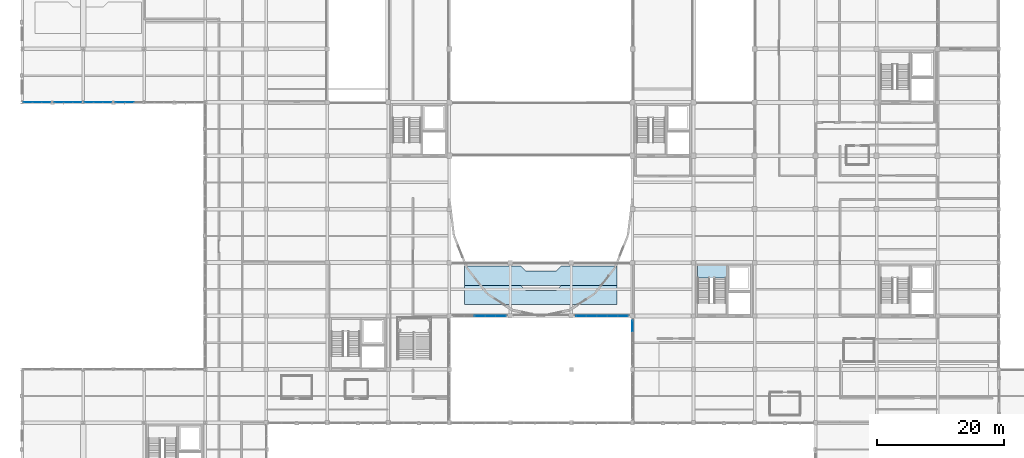
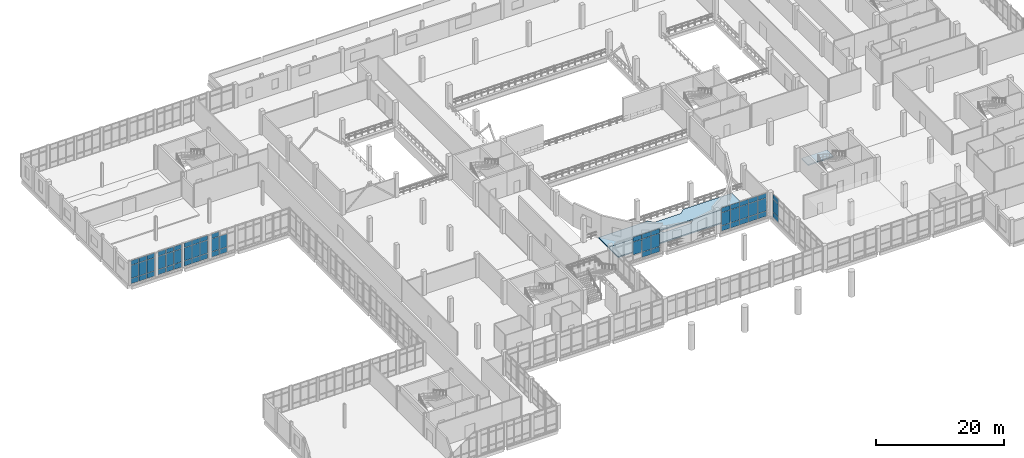
# One storey, part 80 of 102: 58 plates, 3 slabs, 8 elements without a shape of their own.
"""IFC4 building model written with IfcOpenShell, lengths in metres."""

from ifc_helpers import new_model, si_unit, direction, frame, origin, origin_2d, place, context, subcontext, project, spatial, polyline, rectangle, outline, extrude, material, layer, layer_set, type_object, element, aggregate, save


model = new_model("IFC4")

# Units and contexts
model_context = context("Model", 3, precision=1e-05, world=origin(), true_north=direction((0.0, 1.0)))
body_context = subcontext(model_context, "Body", "Model", "MODEL_VIEW")
ifc_project = project(units=[si_unit("LENGTHUNIT", "METRE"), si_unit("AREAUNIT", "SQUARE_METRE"), si_unit("VOLUMEUNIT", "CUBIC_METRE"), si_unit("PLANEANGLEUNIT", "RADIAN"), si_unit("MASSUNIT", "GRAM", prefix="KILO")], contexts=[model_context])

# Site, building, storey
site_placement = place(None, origin())
site = spatial("IfcSite", under=ifc_project, at=site_placement, CompositionType="ELEMENT")
building_placement = place(site_placement, origin())
building = spatial("IfcBuilding", under=site, at=building_placement, Name="Lornevale Opera House", CompositionType="ELEMENT")
storey_placement = place(building_placement, frame((0.0, 0.0, 5.39990234375)))
storey = spatial("IfcBuildingStorey", under=building, at=storey_placement, Name="L02", CompositionType="ELEMENT", Elevation=5.39990234375)

# Curtain wall, plates
ifc_material_1 = material(Name="Anodized Oxide-Green Aluminium Framing", Category="aluminium")
ifc_layer_1 = layer(ifc_material_1, 0.175048828125)
ifc_layer_set_1 = layer_set([ifc_layer_1], Name="Anodized Oxide-Green Aluminium Framing")
curtain_wall_type_1 = type_object("IfcCurtainWallType", Name="Chamber Cloister Curtain Wall M1700", PredefinedType="NOTDEFINED", material=ifc_layer_set_1)
curtain_wall_1_placement = place(storey_placement, origin())
curtain_wall_1 = element("IfcCurtainWall", 1, at=curtain_wall_1_placement, inside=storey, type_object=curtain_wall_type_1, Name="Chamber Cloister Curtain Wall M1700 CW-025", PredefinedType="NOTDEFINED")
ifc_material_2 = material(Name="Triple Low-E Insulated Glazing", Category="glass")
ifc_layer_2 = layer(ifc_material_2, 0.0419921875)
ifc_layer_set_2 = layer_set([ifc_layer_2], Name="Triple Low-E Insulated Glazing")
plate_type_1 = type_object("IfcPlateType", Name="Ceramic Fritted Bird-Safe Panel 42", PredefinedType="CURTAIN_PANEL", material=ifc_layer_set_2)
plate_1_placement = place(storey_placement, frame((8.669677734375, 67.199951171875, 0.0654296875), z_axis=(0.0, 0.0, 1.0), x_axis=(-1.0, 0.0, 0.0)))
plate_1 = element("IfcPlate", 2, at=plate_1_placement, type_object=plate_type_1, Name="Ceramic Fritted Bird-Safe Panel 42 CW0441", PredefinedType="CURTAIN_PANEL", context=body_context, shape_type="SweptSolid", body=[
    extrude(rectangle(XDim=1.3447265625, YDim=0.0419921875, at=origin_2d()), origin(), (0.0, 0.0, 1.0), 0.952392578125),
])
plate_2_placement = place(storey_placement, frame((8.669677734375, 67.199951171875, 1.08251953125), z_axis=(0.0, 0.0, 1.0), x_axis=(-1.0, 0.0, 0.0)))
plate_2 = element("IfcPlate", 3, at=plate_2_placement, type_object=plate_type_1, Name="Ceramic Fritted Bird-Safe Panel 42 CW0442", PredefinedType="CURTAIN_PANEL", context=body_context, shape_type="SweptSolid", body=[
    extrude(rectangle(XDim=1.3447265625, YDim=0.0419921875, at=origin_2d()), origin(), (0.0, 0.0, 1.0), 2.455078125),
])
plate_3_placement = place(storey_placement, frame((8.669677734375, 67.199951171875, 3.6025390625), z_axis=(0.0, 0.0, 1.0), x_axis=(-1.0, 0.0, 0.0)))
plate_3 = element("IfcPlate", 4, at=plate_3_placement, type_object=plate_type_1, Name="Ceramic Fritted Bird-Safe Panel 42 CW0443", PredefinedType="CURTAIN_PANEL", context=body_context, shape_type="SweptSolid", body=[
    extrude(rectangle(XDim=1.3447265625, YDim=0.0419921875, at=origin_2d()), origin(), (0.0, 0.0, 1.0), 0.8525390625),
])
plate_4_placement = place(storey_placement, frame((7.243408203125, 67.199951171875, 0.0654296875), z_axis=(0.0, 0.0, 1.0), x_axis=(-1.0, 0.0, 0.0)))
plate_4 = element("IfcPlate", 5, at=plate_4_placement, type_object=plate_type_1, Name="Ceramic Fritted Bird-Safe Panel 42 CW0448", PredefinedType="CURTAIN_PANEL", context=body_context, shape_type="SweptSolid", body=[
    extrude(rectangle(XDim=1.377197265625, YDim=0.0419921875, at=origin_2d()), origin(), (0.0, 0.0, 1.0), 0.952392578125),
])
plate_5_placement = place(storey_placement, frame((7.243408203125, 67.199951171875, 1.08251953125), z_axis=(0.0, 0.0, 1.0), x_axis=(-1.0, 0.0, 0.0)))
plate_5 = element("IfcPlate", 6, at=plate_5_placement, type_object=plate_type_1, Name="Ceramic Fritted Bird-Safe Panel 42 CW0449", PredefinedType="CURTAIN_PANEL", context=body_context, shape_type="SweptSolid", body=[
    extrude(rectangle(XDim=1.377197265625, YDim=0.0419921875, at=origin_2d()), origin(), (0.0, 0.0, 1.0), 2.455078125),
])
plate_6_placement = place(storey_placement, frame((7.243408203125, 67.199951171875, 3.6025390625), z_axis=(0.0, 0.0, 1.0), x_axis=(-1.0, 0.0, 0.0)))
plate_6 = element("IfcPlate", 7, at=plate_6_placement, type_object=plate_type_1, Name="Ceramic Fritted Bird-Safe Panel 42 CW0450", PredefinedType="CURTAIN_PANEL", context=body_context, shape_type="SweptSolid", body=[
    extrude(rectangle(XDim=1.377197265625, YDim=0.0419921875, at=origin_2d()), origin(), (0.0, 0.0, 1.0), 0.8525390625),
])
plate_7_placement = place(storey_placement, frame((5.8173828125, 67.199951171875, 0.0654296875), z_axis=(0.0, 0.0, 1.0), x_axis=(-1.0, 0.0, 0.0)))
plate_7 = element("IfcPlate", 8, at=plate_7_placement, type_object=plate_type_1, Name="Ceramic Fritted Bird-Safe Panel 42 CW0455", PredefinedType="CURTAIN_PANEL", context=body_context, shape_type="SweptSolid", body=[
    extrude(rectangle(XDim=1.3447265625, YDim=0.0419921875, at=origin_2d()), origin(), (0.0, 0.0, 1.0), 0.952392578125),
])
plate_8_placement = place(storey_placement, frame((5.8173828125, 67.199951171875, 1.08251953125), z_axis=(0.0, 0.0, 1.0), x_axis=(-1.0, 0.0, 0.0)))
plate_8 = element("IfcPlate", 9, at=plate_8_placement, type_object=plate_type_1, Name="Ceramic Fritted Bird-Safe Panel 42 CW0456", PredefinedType="CURTAIN_PANEL", context=body_context, shape_type="SweptSolid", body=[
    extrude(rectangle(XDim=1.3447265625, YDim=0.0419921875, at=origin_2d()), origin(), (0.0, 0.0, 1.0), 2.455078125),
])
plate_9_placement = place(storey_placement, frame((5.8173828125, 67.199951171875, 3.6025390625), z_axis=(0.0, 0.0, 1.0), x_axis=(-1.0, 0.0, 0.0)))
plate_9 = element("IfcPlate", 10, at=plate_9_placement, type_object=plate_type_1, Name="Ceramic Fritted Bird-Safe Panel 42 CW0457", PredefinedType="CURTAIN_PANEL", context=body_context, shape_type="SweptSolid", body=[
    extrude(rectangle(XDim=1.3447265625, YDim=0.0419921875, at=origin_2d()), origin(), (0.0, 0.0, 1.0), 0.8525390625),
])
aggregate(curtain_wall_1, [plate_1, plate_2, plate_3, plate_4, plate_5, plate_6, plate_7, plate_8, plate_9])

curtain_wall_2_placement = place(storey_placement, origin())
curtain_wall_2 = element("IfcCurtainWall", 11, at=curtain_wall_2_placement, inside=storey, type_object=curtain_wall_type_1, Name="Chamber Cloister Curtain Wall M1700 CW-026", PredefinedType="NOTDEFINED")
plate_10_placement = place(storey_placement, frame((3.78271484375, 67.199951171875, 0.0654296875), z_axis=(0.0, 0.0, 1.0), x_axis=(-1.0, 0.0, 0.0)))
plate_10 = element("IfcPlate", 12, at=plate_10_placement, type_object=plate_type_1, Name="Ceramic Fritted Bird-Safe Panel 42 CW0466", PredefinedType="CURTAIN_PANEL", context=body_context, shape_type="SweptSolid", body=[
    extrude(rectangle(XDim=1.3447265625, YDim=0.0419921875, at=origin_2d()), origin(), (0.0, 0.0, 1.0), 0.952392578125),
])
plate_11_placement = place(storey_placement, frame((3.78271484375, 67.199951171875, 1.08251953125), z_axis=(0.0, 0.0, 1.0), x_axis=(-1.0, 0.0, 0.0)))
plate_11 = element("IfcPlate", 13, at=plate_11_placement, type_object=plate_type_1, Name="Ceramic Fritted Bird-Safe Panel 42 CW0467", PredefinedType="CURTAIN_PANEL", context=body_context, shape_type="SweptSolid", body=[
    extrude(rectangle(XDim=1.3447265625, YDim=0.0419921875, at=origin_2d()), origin(), (0.0, 0.0, 1.0), 2.455078125),
])
plate_12_placement = place(storey_placement, frame((3.78271484375, 67.199951171875, 3.6025390625), z_axis=(0.0, 0.0, 1.0), x_axis=(-1.0, 0.0, 0.0)))
plate_12 = element("IfcPlate", 14, at=plate_12_placement, type_object=plate_type_1, Name="Ceramic Fritted Bird-Safe Panel 42 CW0468", PredefinedType="CURTAIN_PANEL", context=body_context, shape_type="SweptSolid", body=[
    extrude(rectangle(XDim=1.3447265625, YDim=0.0419921875, at=origin_2d()), origin(), (0.0, 0.0, 1.0), 0.8525390625),
])
plate_13_placement = place(storey_placement, frame((2.3564453125, 67.199951171875, 0.0654296875), z_axis=(0.0, 0.0, 1.0), x_axis=(-1.0, 0.0, 0.0)))
plate_13 = element("IfcPlate", 15, at=plate_13_placement, type_object=plate_type_1, Name="Ceramic Fritted Bird-Safe Panel 42 CW0473", PredefinedType="CURTAIN_PANEL", context=body_context, shape_type="SweptSolid", body=[
    extrude(rectangle(XDim=1.377197265625, YDim=0.0419921875, at=origin_2d()), origin(), (0.0, 0.0, 1.0), 0.952392578125),
])
plate_14_placement = place(storey_placement, frame((2.3564453125, 67.199951171875, 1.08251953125), z_axis=(0.0, 0.0, 1.0), x_axis=(-1.0, 0.0, 0.0)))
plate_14 = element("IfcPlate", 16, at=plate_14_placement, type_object=plate_type_1, Name="Ceramic Fritted Bird-Safe Panel 42 CW0474", PredefinedType="CURTAIN_PANEL", context=body_context, shape_type="SweptSolid", body=[
    extrude(rectangle(XDim=1.377197265625, YDim=0.0419921875, at=origin_2d()), origin(), (0.0, 0.0, 1.0), 2.455078125),
])
plate_15_placement = place(storey_placement, frame((2.3564453125, 67.199951171875, 3.6025390625), z_axis=(0.0, 0.0, 1.0), x_axis=(-1.0, 0.0, 0.0)))
plate_15 = element("IfcPlate", 17, at=plate_15_placement, type_object=plate_type_1, Name="Ceramic Fritted Bird-Safe Panel 42 CW0475", PredefinedType="CURTAIN_PANEL", context=body_context, shape_type="SweptSolid", body=[
    extrude(rectangle(XDim=1.377197265625, YDim=0.0419921875, at=origin_2d()), origin(), (0.0, 0.0, 1.0), 0.8525390625),
])
plate_16_placement = place(storey_placement, frame((0.930419921875, 67.199951171875, 0.0654296875), z_axis=(0.0, 0.0, 1.0), x_axis=(-1.0, 0.0, 0.0)))
plate_16 = element("IfcPlate", 18, at=plate_16_placement, type_object=plate_type_1, Name="Ceramic Fritted Bird-Safe Panel 42 CW0480", PredefinedType="CURTAIN_PANEL", context=body_context, shape_type="SweptSolid", body=[
    extrude(rectangle(XDim=1.3447265625, YDim=0.0419921875, at=origin_2d()), origin(), (0.0, 0.0, 1.0), 0.952392578125),
])
plate_17_placement = place(storey_placement, frame((0.930419921875, 67.199951171875, 1.08251953125), z_axis=(0.0, 0.0, 1.0), x_axis=(-1.0, 0.0, 0.0)))
plate_17 = element("IfcPlate", 19, at=plate_17_placement, type_object=plate_type_1, Name="Ceramic Fritted Bird-Safe Panel 42 CW0481", PredefinedType="CURTAIN_PANEL", context=body_context, shape_type="SweptSolid", body=[
    extrude(rectangle(XDim=1.3447265625, YDim=0.0419921875, at=origin_2d()), origin(), (0.0, 0.0, 1.0), 2.455078125),
])
plate_18_placement = place(storey_placement, frame((0.930419921875, 67.199951171875, 3.6025390625), z_axis=(0.0, 0.0, 1.0), x_axis=(-1.0, 0.0, 0.0)))
plate_18 = element("IfcPlate", 20, at=plate_18_placement, type_object=plate_type_1, Name="Ceramic Fritted Bird-Safe Panel 42 CW0482", PredefinedType="CURTAIN_PANEL", context=body_context, shape_type="SweptSolid", body=[
    extrude(rectangle(XDim=1.3447265625, YDim=0.0419921875, at=origin_2d()), origin(), (0.0, 0.0, 1.0), 0.8525390625),
])
aggregate(curtain_wall_2, [plate_10, plate_11, plate_12, plate_13, plate_14, plate_15, plate_16, plate_17, plate_18])

curtain_wall_3_placement = place(storey_placement, origin())
curtain_wall_3 = element("IfcCurtainWall", 21, at=curtain_wall_3_placement, inside=storey, type_object=curtain_wall_type_1, Name="Chamber Cloister Curtain Wall M1700 CW-033", PredefinedType="NOTDEFINED")
plate_19_placement = place(storey_placement, frame((16.843505859375, 67.199951171875, 0.0654296875), z_axis=(0.0, 0.0, 1.0), x_axis=(-1.0, 0.0, 0.0)))
plate_19 = element("IfcPlate", 22, at=plate_19_placement, type_object=plate_type_1, Name="Ceramic Fritted Bird-Safe Panel 42 CW0648", PredefinedType="CURTAIN_PANEL", context=body_context, shape_type="SweptSolid", body=[
    extrude(rectangle(XDim=1.377197265625, YDim=0.0419921875, at=origin_2d()), origin(), (0.0, 0.0, 1.0), 0.952392578125),
])
plate_20_placement = place(storey_placement, frame((16.843505859375, 67.199951171875, 1.08251953125), z_axis=(0.0, 0.0, 1.0), x_axis=(-1.0, 0.0, 0.0)))
plate_20 = element("IfcPlate", 23, at=plate_20_placement, type_object=plate_type_1, Name="Ceramic Fritted Bird-Safe Panel 42 CW0649", PredefinedType="CURTAIN_PANEL", context=body_context, shape_type="SweptSolid", body=[
    extrude(rectangle(XDim=1.377197265625, YDim=0.0419921875, at=origin_2d()), origin(), (0.0, 0.0, 1.0), 2.455078125),
])
plate_21_placement = place(storey_placement, frame((15.41748046875, 67.199951171875, 0.0654296875), z_axis=(0.0, 0.0, 1.0), x_axis=(-1.0, 0.0, 0.0)))
plate_21 = element("IfcPlate", 24, at=plate_21_placement, type_object=plate_type_1, Name="Ceramic Fritted Bird-Safe Panel 42 CW0655", PredefinedType="CURTAIN_PANEL", context=body_context, shape_type="SweptSolid", body=[
    extrude(rectangle(XDim=1.3447265625, YDim=0.0419921875, at=origin_2d()), origin(), (0.0, 0.0, 1.0), 0.952392578125),
])
plate_22_placement = place(storey_placement, frame((15.41748046875, 67.199951171875, 1.08251953125), z_axis=(0.0, 0.0, 1.0), x_axis=(-1.0, 0.0, 0.0)))
plate_22 = element("IfcPlate", 25, at=plate_22_placement, type_object=plate_type_1, Name="Ceramic Fritted Bird-Safe Panel 42 CW0656", PredefinedType="CURTAIN_PANEL", context=body_context, shape_type="SweptSolid", body=[
    extrude(rectangle(XDim=1.3447265625, YDim=0.0419921875, at=origin_2d()), origin(), (0.0, 0.0, 1.0), 2.455078125),
])
plate_23_placement = place(storey_placement, frame((15.41748046875, 67.199951171875, 3.6025390625), z_axis=(0.0, 0.0, 1.0), x_axis=(-1.0, 0.0, 0.0)))
plate_23 = element("IfcPlate", 26, at=plate_23_placement, type_object=plate_type_1, Name="Ceramic Fritted Bird-Safe Panel 42 CW0657", PredefinedType="CURTAIN_PANEL", context=body_context, shape_type="SweptSolid", body=[
    extrude(rectangle(XDim=1.3447265625, YDim=0.0419921875, at=origin_2d()), origin(), (0.0, 0.0, 1.0), 0.8525390625),
])
aggregate(curtain_wall_3, [plate_19, plate_20, plate_21, plate_22, plate_23])

curtain_wall_4_placement = place(storey_placement, origin())
curtain_wall_4 = element("IfcCurtainWall", 27, at=curtain_wall_4_placement, inside=storey, type_object=curtain_wall_type_1, Name="Chamber Cloister Curtain Wall M1700 CW-034", PredefinedType="NOTDEFINED")
plate_24_placement = place(storey_placement, frame((13.382568359375, 67.199951171875, 0.0654296875), z_axis=(0.0, 0.0, 1.0), x_axis=(-1.0, 0.0, 0.0)))
plate_24 = element("IfcPlate", 28, at=plate_24_placement, type_object=plate_type_1, Name="Ceramic Fritted Bird-Safe Panel 42 CW0666", PredefinedType="CURTAIN_PANEL", context=body_context, shape_type="SweptSolid", body=[
    extrude(rectangle(XDim=1.3447265625, YDim=0.0419921875, at=origin_2d()), origin(), (0.0, 0.0, 1.0), 0.952392578125),
])
plate_25_placement = place(storey_placement, frame((13.382568359375, 67.199951171875, 1.08251953125), z_axis=(0.0, 0.0, 1.0), x_axis=(-1.0, 0.0, 0.0)))
plate_25 = element("IfcPlate", 29, at=plate_25_placement, type_object=plate_type_1, Name="Ceramic Fritted Bird-Safe Panel 42 CW0667", PredefinedType="CURTAIN_PANEL", context=body_context, shape_type="SweptSolid", body=[
    extrude(rectangle(XDim=1.3447265625, YDim=0.0419921875, at=origin_2d()), origin(), (0.0, 0.0, 1.0), 2.455078125),
])
plate_26_placement = place(storey_placement, frame((13.382568359375, 67.199951171875, 3.6025390625), z_axis=(0.0, 0.0, 1.0), x_axis=(-1.0, 0.0, 0.0)))
plate_26 = element("IfcPlate", 30, at=plate_26_placement, type_object=plate_type_1, Name="Ceramic Fritted Bird-Safe Panel 42 CW0668", PredefinedType="CURTAIN_PANEL", context=body_context, shape_type="SweptSolid", body=[
    extrude(rectangle(XDim=1.3447265625, YDim=0.0419921875, at=origin_2d()), origin(), (0.0, 0.0, 1.0), 0.8525390625),
])
plate_27_placement = place(storey_placement, frame((11.95654296875, 67.199951171875, 0.0654296875), z_axis=(0.0, 0.0, 1.0), x_axis=(-1.0, 0.0, 0.0)))
plate_27 = element("IfcPlate", 31, at=plate_27_placement, type_object=plate_type_1, Name="Ceramic Fritted Bird-Safe Panel 42 CW0673", PredefinedType="CURTAIN_PANEL", context=body_context, shape_type="SweptSolid", body=[
    extrude(rectangle(XDim=1.377197265625, YDim=0.0419921875, at=origin_2d()), origin(), (0.0, 0.0, 1.0), 0.952392578125),
])
plate_28_placement = place(storey_placement, frame((11.95654296875, 67.199951171875, 1.08251953125), z_axis=(0.0, 0.0, 1.0), x_axis=(-1.0, 0.0, 0.0)))
plate_28 = element("IfcPlate", 32, at=plate_28_placement, type_object=plate_type_1, Name="Ceramic Fritted Bird-Safe Panel 42 CW0674", PredefinedType="CURTAIN_PANEL", context=body_context, shape_type="SweptSolid", body=[
    extrude(rectangle(XDim=1.377197265625, YDim=0.0419921875, at=origin_2d()), origin(), (0.0, 0.0, 1.0), 2.455078125),
])
plate_29_placement = place(storey_placement, frame((11.95654296875, 67.199951171875, 3.6025390625), z_axis=(0.0, 0.0, 1.0), x_axis=(-1.0, 0.0, 0.0)))
plate_29 = element("IfcPlate", 33, at=plate_29_placement, type_object=plate_type_1, Name="Ceramic Fritted Bird-Safe Panel 42 CW0675", PredefinedType="CURTAIN_PANEL", context=body_context, shape_type="SweptSolid", body=[
    extrude(rectangle(XDim=1.377197265625, YDim=0.0419921875, at=origin_2d()), origin(), (0.0, 0.0, 1.0), 0.8525390625),
])
plate_30_placement = place(storey_placement, frame((10.530517578125, 67.199951171875, 0.0654296875), z_axis=(0.0, 0.0, 1.0), x_axis=(-1.0, 0.0, 0.0)))
plate_30 = element("IfcPlate", 34, at=plate_30_placement, type_object=plate_type_1, Name="Ceramic Fritted Bird-Safe Panel 42 CW0680", PredefinedType="CURTAIN_PANEL", context=body_context, shape_type="SweptSolid", body=[
    extrude(rectangle(XDim=1.3447265625, YDim=0.0419921875, at=origin_2d()), origin(), (0.0, 0.0, 1.0), 0.952392578125),
])
plate_31_placement = place(storey_placement, frame((10.530517578125, 67.199951171875, 1.08251953125), z_axis=(0.0, 0.0, 1.0), x_axis=(-1.0, 0.0, 0.0)))
plate_31 = element("IfcPlate", 35, at=plate_31_placement, type_object=plate_type_1, Name="Ceramic Fritted Bird-Safe Panel 42 CW0681", PredefinedType="CURTAIN_PANEL", context=body_context, shape_type="SweptSolid", body=[
    extrude(rectangle(XDim=1.3447265625, YDim=0.0419921875, at=origin_2d()), origin(), (0.0, 0.0, 1.0), 2.455078125),
])
plate_32_placement = place(storey_placement, frame((10.530517578125, 67.199951171875, 3.6025390625), z_axis=(0.0, 0.0, 1.0), x_axis=(-1.0, 0.0, 0.0)))
plate_32 = element("IfcPlate", 36, at=plate_32_placement, type_object=plate_type_1, Name="Ceramic Fritted Bird-Safe Panel 42 CW0682", PredefinedType="CURTAIN_PANEL", context=body_context, shape_type="SweptSolid", body=[
    extrude(rectangle(XDim=1.3447265625, YDim=0.0419921875, at=origin_2d()), origin(), (0.0, 0.0, 1.0), 0.8525390625),
])
aggregate(curtain_wall_4, [plate_24, plate_25, plate_26, plate_27, plate_28, plate_29, plate_30, plate_31, plate_32])

ifc_layer_3 = layer(ifc_material_1, 0.14990234375)
ifc_layer_set_3 = layer_set([ifc_layer_3], Name="Anodized Oxide-Green Aluminium Framing")
curtain_wall_type_2 = type_object("IfcCurtainWallType", Name="North-Light Clerestory Curtain Wall M1600", PredefinedType="NOTDEFINED", material=ifc_layer_set_3)
curtain_wall_5_placement = place(storey_placement, origin())
curtain_wall_5 = element("IfcCurtainWall", 37, at=curtain_wall_5_placement, inside=storey, type_object=curtain_wall_type_2, Name="North-Light Clerestory Curtain Wall M1600 CW-173", PredefinedType="NOTDEFINED")
ifc_layer_4 = layer(ifc_material_2, 0.033935546875)
ifc_layer_set_4 = layer_set([ifc_layer_4], Name="Triple Low-E Insulated Glazing")
plate_type_2 = type_object("IfcPlateType", Name="Clerestory Diffusing Glazing Panel 34", PredefinedType="CURTAIN_PANEL", material=ifc_layer_set_4)
plate_33_placement = place(storey_placement, frame((96.0, 32.010009765625, 0.06005859375), z_axis=(0.0, 0.0, 1.0), x_axis=(0.0, -1.0, 0.0)))
plate_33 = element("IfcPlate", 38, at=plate_33_placement, type_object=plate_type_2, Name="Clerestory Diffusing Glazing Panel 34 CW3534", PredefinedType="CURTAIN_PANEL", context=body_context, shape_type="SweptSolid", body=[
    extrude(rectangle(XDim=1.659912109375, YDim=0.033935546875, at=origin_2d()), origin(), (0.0, 0.0, 1.0), 0.9599609375),
])
plate_34_placement = place(storey_placement, frame((96.0, 32.010009765625, 1.080078125), z_axis=(0.0, 0.0, 1.0), x_axis=(0.0, -1.0, 0.0)))
plate_34 = element("IfcPlate", 39, at=plate_34_placement, type_object=plate_type_2, Name="Clerestory Diffusing Glazing Panel 34 CW3535", PredefinedType="CURTAIN_PANEL", context=body_context, shape_type="SweptSolid", body=[
    extrude(rectangle(XDim=1.659912109375, YDim=0.033935546875, at=origin_2d()), origin(), (0.0, 0.0, 1.0), 2.43994140625),
])
plate_35_placement = place(storey_placement, frame((96.0, 32.010009765625, 3.580078125), z_axis=(0.0, 0.0, 1.0), x_axis=(0.0, -1.0, 0.0)))
plate_35 = element("IfcPlate", 40, at=plate_35_placement, type_object=plate_type_2, Name="Clerestory Diffusing Glazing Panel 34 CW3536", PredefinedType="CURTAIN_PANEL", context=body_context, shape_type="SweptSolid", body=[
    extrude(rectangle(XDim=1.659912109375, YDim=0.033935546875, at=origin_2d()), origin(), (0.0, 0.0, 1.0), 0.860107421875),
])
aggregate(curtain_wall_5, [plate_33, plate_34, plate_35])

curtain_wall_6_placement = place(storey_placement, origin())
curtain_wall_6 = element("IfcCurtainWall", 41, at=curtain_wall_6_placement, inside=storey, type_object=curtain_wall_type_2, Name="North-Light Clerestory Curtain Wall M1600 CW-175", PredefinedType="NOTDEFINED")
plate_36_placement = place(storey_placement, frame((72.0, 33.60009765625, 1.080078125), z_axis=(0.0, 0.0, 1.0), x_axis=(1.0, 0.0, 0.0)))
plate_36 = element("IfcPlate", 42, at=plate_36_placement, type_object=plate_type_2, Name="Clerestory Diffusing Glazing Panel 34 CW3616", PredefinedType="CURTAIN_PANEL", context=body_context, shape_type="SweptSolid", body=[
    extrude(rectangle(XDim=1.580078125, YDim=0.033935546875, at=origin_2d()), origin(), (0.0, 0.0, 1.0), 2.43994140625),
])
plate_37_placement = place(storey_placement, frame((72.0, 33.60009765625, 3.580078125), z_axis=(0.0, 0.0, 1.0), x_axis=(1.0, 0.0, 0.0)))
plate_37 = element("IfcPlate", 43, at=plate_37_placement, type_object=plate_type_2, Name="Clerestory Diffusing Glazing Panel 34 CW3617", PredefinedType="CURTAIN_PANEL", context=body_context, shape_type="SweptSolid", body=[
    extrude(rectangle(XDim=1.580078125, YDim=0.033935546875, at=origin_2d()), origin(), (0.0, 0.0, 1.0), 0.860107421875),
])
plate_38_placement = place(storey_placement, frame((73.639892578125, 33.60009765625, 0.06005859375), z_axis=(0.0, 0.0, 1.0), x_axis=(1.0, 0.0, 0.0)))
plate_38 = element("IfcPlate", 44, at=plate_38_placement, type_object=plate_type_2, Name="Clerestory Diffusing Glazing Panel 34 CW3622", PredefinedType="CURTAIN_PANEL", context=body_context, shape_type="SweptSolid", body=[
    extrude(rectangle(XDim=1.580078125, YDim=0.033935546875, at=origin_2d()), origin(), (0.0, 0.0, 1.0), 0.9599609375),
])
plate_39_placement = place(storey_placement, frame((73.639892578125, 33.60009765625, 1.080078125), z_axis=(0.0, 0.0, 1.0), x_axis=(1.0, 0.0, 0.0)))
plate_39 = element("IfcPlate", 45, at=plate_39_placement, type_object=plate_type_2, Name="Clerestory Diffusing Glazing Panel 34 CW3623", PredefinedType="CURTAIN_PANEL", context=body_context, shape_type="SweptSolid", body=[
    extrude(rectangle(XDim=1.580078125, YDim=0.033935546875, at=origin_2d()), origin(), (0.0, 0.0, 1.0), 2.43994140625),
])
plate_40_placement = place(storey_placement, frame((73.639892578125, 33.60009765625, 3.580078125), z_axis=(0.0, 0.0, 1.0), x_axis=(1.0, 0.0, 0.0)))
plate_40 = element("IfcPlate", 46, at=plate_40_placement, type_object=plate_type_2, Name="Clerestory Diffusing Glazing Panel 34 CW3624", PredefinedType="CURTAIN_PANEL", context=body_context, shape_type="SweptSolid", body=[
    extrude(rectangle(XDim=1.580078125, YDim=0.033935546875, at=origin_2d()), origin(), (0.0, 0.0, 1.0), 0.860107421875),
])
plate_41_placement = place(storey_placement, frame((75.264892578125, 33.60009765625, 0.06005859375), z_axis=(0.0, 0.0, 1.0), x_axis=(1.0, 0.0, 0.0)))
plate_41 = element("IfcPlate", 47, at=plate_41_placement, type_object=plate_type_2, Name="Clerestory Diffusing Glazing Panel 34 CW3629", PredefinedType="CURTAIN_PANEL", context=body_context, shape_type="SweptSolid", body=[
    extrude(rectangle(XDim=1.550048828125, YDim=0.033935546875, at=origin_2d()), origin(), (0.0, 0.0, 1.0), 0.9599609375),
])
plate_42_placement = place(storey_placement, frame((75.264892578125, 33.60009765625, 1.080078125), z_axis=(0.0, 0.0, 1.0), x_axis=(1.0, 0.0, 0.0)))
plate_42 = element("IfcPlate", 48, at=plate_42_placement, type_object=plate_type_2, Name="Clerestory Diffusing Glazing Panel 34 CW3630", PredefinedType="CURTAIN_PANEL", context=body_context, shape_type="SweptSolid", body=[
    extrude(rectangle(XDim=1.550048828125, YDim=0.033935546875, at=origin_2d()), origin(), (0.0, 0.0, 1.0), 2.43994140625),
])
plate_43_placement = place(storey_placement, frame((75.264892578125, 33.60009765625, 3.580078125), z_axis=(0.0, 0.0, 1.0), x_axis=(1.0, 0.0, 0.0)))
plate_43 = element("IfcPlate", 49, at=plate_43_placement, type_object=plate_type_2, Name="Clerestory Diffusing Glazing Panel 34 CW3631", PredefinedType="CURTAIN_PANEL", context=body_context, shape_type="SweptSolid", body=[
    extrude(rectangle(XDim=1.550048828125, YDim=0.033935546875, at=origin_2d()), origin(), (0.0, 0.0, 1.0), 0.860107421875),
])
aggregate(curtain_wall_6, [plate_36, plate_37, plate_38, plate_39, plate_40, plate_41, plate_42, plate_43])

curtain_wall_7_placement = place(storey_placement, origin())
curtain_wall_7 = element("IfcCurtainWall", 50, at=curtain_wall_7_placement, inside=storey, type_object=curtain_wall_type_2, Name="North-Light Clerestory Curtain Wall M1600 CW-176", PredefinedType="NOTDEFINED")
plate_44_placement = place(storey_placement, frame((87.93505859375, 33.60009765625, 0.06005859375), z_axis=(0.0, 0.0, 1.0), x_axis=(1.0, 0.0, 0.0)))
plate_44 = element("IfcPlate", 51, at=plate_44_placement, type_object=plate_type_2, Name="Clerestory Diffusing Glazing Panel 34 CW3642", PredefinedType="CURTAIN_PANEL", context=body_context, shape_type="SweptSolid", body=[
    extrude(rectangle(XDim=1.550048828125, YDim=0.033935546875, at=origin_2d()), origin(), (0.0, 0.0, 1.0), 0.9599609375),
])
plate_45_placement = place(storey_placement, frame((87.93505859375, 33.60009765625, 1.080078125), z_axis=(0.0, 0.0, 1.0), x_axis=(1.0, 0.0, 0.0)))
plate_45 = element("IfcPlate", 52, at=plate_45_placement, type_object=plate_type_2, Name="Clerestory Diffusing Glazing Panel 34 CW3643", PredefinedType="CURTAIN_PANEL", context=body_context, shape_type="SweptSolid", body=[
    extrude(rectangle(XDim=1.550048828125, YDim=0.033935546875, at=origin_2d()), origin(), (0.0, 0.0, 1.0), 2.43994140625),
])
plate_46_placement = place(storey_placement, frame((87.93505859375, 33.60009765625, 3.580078125), z_axis=(0.0, 0.0, 1.0), x_axis=(1.0, 0.0, 0.0)))
plate_46 = element("IfcPlate", 53, at=plate_46_placement, type_object=plate_type_2, Name="Clerestory Diffusing Glazing Panel 34 CW3644", PredefinedType="CURTAIN_PANEL", context=body_context, shape_type="SweptSolid", body=[
    extrude(rectangle(XDim=1.550048828125, YDim=0.033935546875, at=origin_2d()), origin(), (0.0, 0.0, 1.0), 0.860107421875),
])
plate_47_placement = place(storey_placement, frame((89.56005859375, 33.60009765625, 0.06005859375), z_axis=(0.0, 0.0, 1.0), x_axis=(1.0, 0.0, 0.0)))
plate_47 = element("IfcPlate", 54, at=plate_47_placement, type_object=plate_type_2, Name="Clerestory Diffusing Glazing Panel 34 CW3649", PredefinedType="CURTAIN_PANEL", context=body_context, shape_type="SweptSolid", body=[
    extrude(rectangle(XDim=1.580078125, YDim=0.033935546875, at=origin_2d()), origin(), (0.0, 0.0, 1.0), 0.9599609375),
])
plate_48_placement = place(storey_placement, frame((89.56005859375, 33.60009765625, 1.080078125), z_axis=(0.0, 0.0, 1.0), x_axis=(1.0, 0.0, 0.0)))
plate_48 = element("IfcPlate", 55, at=plate_48_placement, type_object=plate_type_2, Name="Clerestory Diffusing Glazing Panel 34 CW3650", PredefinedType="CURTAIN_PANEL", context=body_context, shape_type="SweptSolid", body=[
    extrude(rectangle(XDim=1.580078125, YDim=0.033935546875, at=origin_2d()), origin(), (0.0, 0.0, 1.0), 2.43994140625),
])
plate_49_placement = place(storey_placement, frame((89.56005859375, 33.60009765625, 3.580078125), z_axis=(0.0, 0.0, 1.0), x_axis=(1.0, 0.0, 0.0)))
plate_49 = element("IfcPlate", 56, at=plate_49_placement, type_object=plate_type_2, Name="Clerestory Diffusing Glazing Panel 34 CW3651", PredefinedType="CURTAIN_PANEL", context=body_context, shape_type="SweptSolid", body=[
    extrude(rectangle(XDim=1.580078125, YDim=0.033935546875, at=origin_2d()), origin(), (0.0, 0.0, 1.0), 0.860107421875),
])
plate_50_placement = place(storey_placement, frame((91.199951171875, 33.60009765625, 0.06005859375), z_axis=(0.0, 0.0, 1.0), x_axis=(1.0, 0.0, 0.0)))
plate_50 = element("IfcPlate", 57, at=plate_50_placement, type_object=plate_type_2, Name="Clerestory Diffusing Glazing Panel 34 CW3656", PredefinedType="CURTAIN_PANEL", context=body_context, shape_type="SweptSolid", body=[
    extrude(rectangle(XDim=1.580078125, YDim=0.033935546875, at=origin_2d()), origin(), (0.0, 0.0, 1.0), 0.9599609375),
])
plate_51_placement = place(storey_placement, frame((91.199951171875, 33.60009765625, 1.080078125), z_axis=(0.0, 0.0, 1.0), x_axis=(1.0, 0.0, 0.0)))
plate_51 = element("IfcPlate", 58, at=plate_51_placement, type_object=plate_type_2, Name="Clerestory Diffusing Glazing Panel 34 CW3657", PredefinedType="CURTAIN_PANEL", context=body_context, shape_type="SweptSolid", body=[
    extrude(rectangle(XDim=1.580078125, YDim=0.033935546875, at=origin_2d()), origin(), (0.0, 0.0, 1.0), 2.43994140625),
])
plate_52_placement = place(storey_placement, frame((91.199951171875, 33.60009765625, 3.580078125), z_axis=(0.0, 0.0, 1.0), x_axis=(1.0, 0.0, 0.0)))
plate_52 = element("IfcPlate", 59, at=plate_52_placement, type_object=plate_type_2, Name="Clerestory Diffusing Glazing Panel 34 CW3658", PredefinedType="CURTAIN_PANEL", context=body_context, shape_type="SweptSolid", body=[
    extrude(rectangle(XDim=1.580078125, YDim=0.033935546875, at=origin_2d()), origin(), (0.0, 0.0, 1.0), 0.860107421875),
])
plate_53_placement = place(storey_placement, frame((92.840087890625, 33.60009765625, 0.06005859375), z_axis=(0.0, 0.0, 1.0), x_axis=(1.0, 0.0, 0.0)))
plate_53 = element("IfcPlate", 60, at=plate_53_placement, type_object=plate_type_2, Name="Clerestory Diffusing Glazing Panel 34 CW3663", PredefinedType="CURTAIN_PANEL", context=body_context, shape_type="SweptSolid", body=[
    extrude(rectangle(XDim=1.580078125, YDim=0.033935546875, at=origin_2d()), origin(), (0.0, 0.0, 1.0), 0.9599609375),
])
plate_54_placement = place(storey_placement, frame((92.840087890625, 33.60009765625, 1.080078125), z_axis=(0.0, 0.0, 1.0), x_axis=(1.0, 0.0, 0.0)))
plate_54 = element("IfcPlate", 61, at=plate_54_placement, type_object=plate_type_2, Name="Clerestory Diffusing Glazing Panel 34 CW3664", PredefinedType="CURTAIN_PANEL", context=body_context, shape_type="SweptSolid", body=[
    extrude(rectangle(XDim=1.580078125, YDim=0.033935546875, at=origin_2d()), origin(), (0.0, 0.0, 1.0), 2.43994140625),
])
plate_55_placement = place(storey_placement, frame((92.840087890625, 33.60009765625, 3.580078125), z_axis=(0.0, 0.0, 1.0), x_axis=(1.0, 0.0, 0.0)))
plate_55 = element("IfcPlate", 62, at=plate_55_placement, type_object=plate_type_2, Name="Clerestory Diffusing Glazing Panel 34 CW3665", PredefinedType="CURTAIN_PANEL", context=body_context, shape_type="SweptSolid", body=[
    extrude(rectangle(XDim=1.580078125, YDim=0.033935546875, at=origin_2d()), origin(), (0.0, 0.0, 1.0), 0.860107421875),
])
plate_56_placement = place(storey_placement, frame((94.465087890625, 33.60009765625, 0.06005859375), z_axis=(0.0, 0.0, 1.0), x_axis=(1.0, 0.0, 0.0)))
plate_56 = element("IfcPlate", 63, at=plate_56_placement, type_object=plate_type_2, Name="Clerestory Diffusing Glazing Panel 34 CW3670", PredefinedType="CURTAIN_PANEL", context=body_context, shape_type="SweptSolid", body=[
    extrude(rectangle(XDim=1.550048828125, YDim=0.033935546875, at=origin_2d()), origin(), (0.0, 0.0, 1.0), 0.9599609375),
])
plate_57_placement = place(storey_placement, frame((94.465087890625, 33.60009765625, 1.080078125), z_axis=(0.0, 0.0, 1.0), x_axis=(1.0, 0.0, 0.0)))
plate_57 = element("IfcPlate", 64, at=plate_57_placement, type_object=plate_type_2, Name="Clerestory Diffusing Glazing Panel 34 CW3671", PredefinedType="CURTAIN_PANEL", context=body_context, shape_type="SweptSolid", body=[
    extrude(rectangle(XDim=1.550048828125, YDim=0.033935546875, at=origin_2d()), origin(), (0.0, 0.0, 1.0), 2.43994140625),
])
plate_58_placement = place(storey_placement, frame((94.465087890625, 33.60009765625, 3.580078125), z_axis=(0.0, 0.0, 1.0), x_axis=(1.0, 0.0, 0.0)))
plate_58 = element("IfcPlate", 65, at=plate_58_placement, type_object=plate_type_2, Name="Clerestory Diffusing Glazing Panel 34 CW3672", PredefinedType="CURTAIN_PANEL", context=body_context, shape_type="SweptSolid", body=[
    extrude(rectangle(XDim=1.550048828125, YDim=0.033935546875, at=origin_2d()), origin(), (0.0, 0.0, 1.0), 0.860107421875),
])
aggregate(curtain_wall_7, [plate_44, plate_45, plate_46, plate_47, plate_48, plate_49, plate_50, plate_51, plate_52, plate_53, plate_54, plate_55, plate_56, plate_57, plate_58])

# Slabs
ifc_material_3 = material(Name="Concrete 35 MPa (CSA A23.1 N)", Category="concrete")
ifc_layer_5 = layer(ifc_material_3, 0.2099609375)
ifc_layer_set_5 = layer_set([ifc_layer_5], Name="Concrete 35 MPa (CSA A23.1 N)")
slab_type_1 = type_object("IfcSlabType", Name="Raked Seating Tier Platform 210", PredefinedType="USERDEFINED", material=ifc_layer_set_5)
slab_1_placement = place(storey_placement, frame((0.0, 0.0, -0.010009765625)))
element("IfcSlab", 66, at=slab_1_placement, inside=storey, type_object=slab_type_1, Name="Raked Seating Tier Platform 210 SL-097", ObjectType="SEATING TIER", PredefinedType="USERDEFINED", context=body_context, shape_type="SweptSolid", body=[
    extrude(outline(polyline([(69.60009765625, 35.39990234375), (93.60009765625, 35.39990234375), (93.60009765625, 38.39990234375), (84.800048828125, 38.39990234375), (84.0, 37.60009765625), (79.199951171875, 37.60009765625), (78.39990234375, 38.39990234375), (69.60009765625, 38.39990234375), (69.60009765625, 35.39990234375)])), origin(), (0.0, 0.0, 1.0), 0.22021484375),
])
slab_2_placement = place(storey_placement, frame((0.0, 0.0, -0.010009765625)))
element("IfcSlab", 67, at=slab_2_placement, inside=storey, type_object=slab_type_1, Name="Raked Seating Tier Platform 210 SL-098", ObjectType="SEATING TIER", PredefinedType="USERDEFINED", context=body_context, shape_type="SweptSolid", body=[
    extrude(outline(polyline([(69.60009765625, 38.39990234375), (93.60009765625, 38.39990234375), (93.60009765625, 41.5), (84.800048828125, 41.5), (84.0, 40.699951171875), (79.199951171875, 40.699951171875), (78.39990234375, 41.5), (69.60009765625, 41.5), (69.60009765625, 38.39990234375)])), origin(), (0.0, 0.0, 1.0), 0.22021484375),
])

# Stair, slab
ifc_layer_6 = layer(ifc_material_3, 4.800048828125)
ifc_layer_set_6 = layer_set([ifc_layer_6], Name="Concrete 35 MPa (CSA A23.1 N)")
stair_type = type_object("IfcStairType", Name="Protected Exit Stair 4800-W1840", PredefinedType="TWO_STRAIGHT_RUN_STAIR", material=ifc_layer_set_6)
stair_placement = place(storey_placement, origin())
stair = element("IfcStair", 68, at=stair_placement, inside=storey, type_object=stair_type, Name="South-East Foyer Core Stair ST-07 (L02-L03)", PredefinedType="TWO_STRAIGHT_RUN_STAIR")
ifc_layer_7 = layer(ifc_material_3, 0.219970703125)
ifc_layer_set_7 = layer_set([ifc_layer_7], Name="Concrete 35 MPa (CSA A23.1 N)")
slab_type_2 = type_object("IfcSlabType", Name="Stair Half-Landing Slab 220", PredefinedType="LANDING", material=ifc_layer_set_7)
slab_3_placement = place(storey_placement, frame((0.0, 0.0, 2.18017578125)))
slab_3 = element("IfcSlab", 69, at=slab_3_placement, type_object=slab_type_2, Name="ST-07 Half-Landing SL-LND-007", PredefinedType="LANDING", context=body_context, shape_type="SweptSolid", body=[
    extrude(outline(polyline([(106.199951171875, 39.56005859375), (110.800048828125, 39.56005859375), (110.800048828125, 41.580078125), (106.199951171875, 41.580078125), (106.199951171875, 39.56005859375)])), origin(), (0.0, 0.0, 1.0), 0.219970703125),
])
aggregate(stair, [slab_3])

save(model, "model.ifc")
